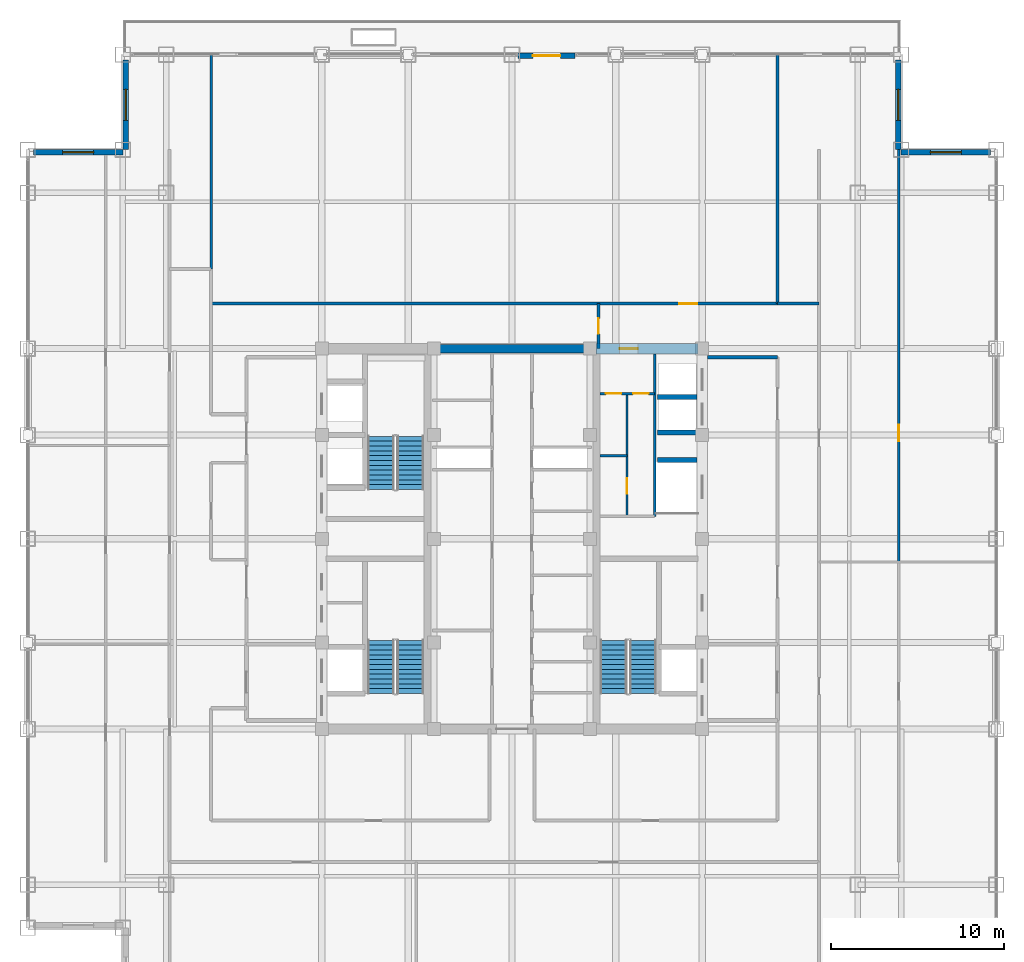
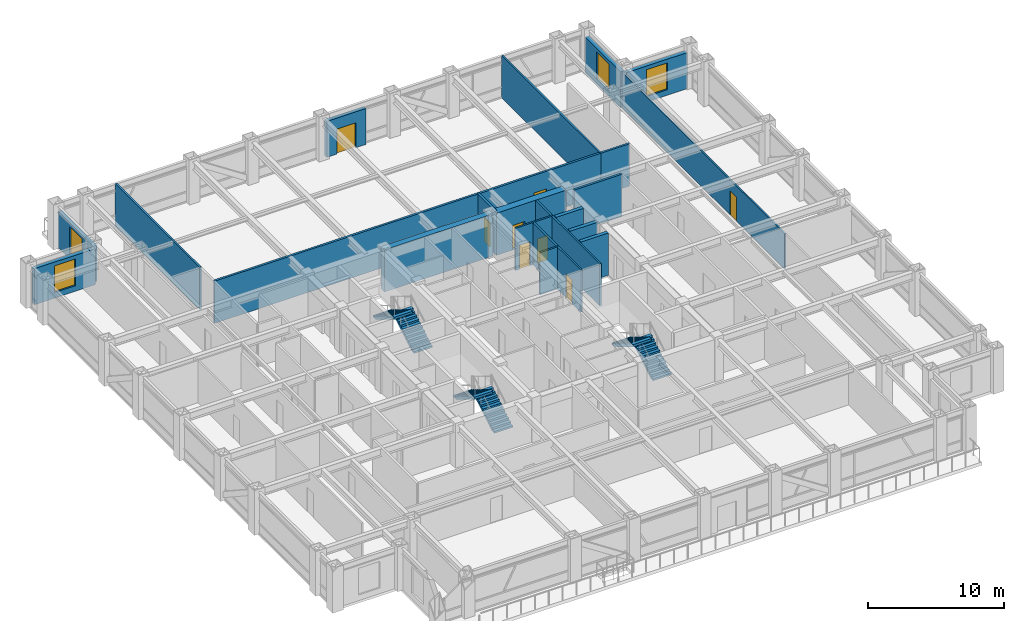
# One storey, part 29 of 32: 21 walls, 8 doors, 6 stair flights, 4 windows, 12 openings, 3 elements without a shape of their own.
"""IFC4 building model written with IfcOpenShell, lengths in metres."""

from ifc_helpers import new_model, si_unit, direction, frame, frame_2d, origin, place, context, subcontext, project, spatial, polyline, rectangle, outline, extrude, source, transform, mapped, material, layer, layer_set, type_object, element, fill, aggregate, save


model = new_model("IFC4")

# Units and contexts
model_context = context("Model", 3, precision=1e-05, world=origin(), true_north=direction((0.0, 1.0)))
body_context = subcontext(model_context, "Body", "Model", "MODEL_VIEW")
ifc_project = project(units=[si_unit("LENGTHUNIT", "METRE"), si_unit("AREAUNIT", "SQUARE_METRE"), si_unit("VOLUMEUNIT", "CUBIC_METRE"), si_unit("PLANEANGLEUNIT", "RADIAN"), si_unit("MASSUNIT", "GRAM", prefix="KILO")], contexts=[model_context])

# Site, building, storey
site_placement = place(None, origin())
site = spatial("IfcSite", under=ifc_project, at=site_placement, CompositionType="ELEMENT")
building_placement = place(site_placement, origin())
building = spatial("IfcBuilding", under=site, at=building_placement, Name="Khorayat Bourse Tower", CompositionType="ELEMENT")
storey_placement = place(building_placement, frame((0.0, 0.0, 273.5)))
storey = spatial("IfcBuildingStorey", under=building, at=storey_placement, Name="L64", CompositionType="ELEMENT", Elevation=273.5)

# Wall, opening, door
ifc_material_1 = material(Name="Concrete C60/75", Category="concrete")
ifc_layer_1 = layer(ifc_material_1, 0.60009765625)
ifc_layer_set_1 = layer_set([ifc_layer_1], Name="Concrete C60/75")
wall_type_1 = type_object("IfcWallType", Name="WAL-CORE-600", PredefinedType="SHEAR", material=ifc_layer_set_1)
shared_shape_1 = source(origin(), body_context, "Body", "SweptSolid", [
    extrude(rectangle(XDim=5.89990234375, YDim=0.60009765625, at=frame_2d((2.949951171875, 0.0))), origin(), (0.0, 0.0, 1.0), 3.780029296875),
])
wall_1_placement = place(storey_placement, frame((4.85009765625, 11.0, 0.0), z_axis=(0.0, 0.0, 1.0), x_axis=(1.0, 0.0, 0.0)))
wall_1 = element("IfcWall", 1, at=wall_1_placement, inside=storey, type_object=wall_type_1, Name="L64 Core Shear Wall PIER-EN", PredefinedType="SHEAR", context=body_context, shape_type="MappedRepresentation", body=[
    mapped(shared_shape_1, transform((0.0, 0.0, 0.0), scale=1.0)),
])
shared_shape_2 = source(origin(), body_context, "Body", "SweptSolid", [
    extrude(rectangle(XDim=1.050048828125, YDim=2.199951171875, at=frame_2d((0.52490234375, 1.10009765625))), frame((0.0, 0.31005859375, 0.0), z_axis=(0.0, -1.0, 0.0), x_axis=(1.0, 0.0, 0.0)), (0.0, 0.0, 1.0), 0.6201171875),
])
opening_1_placement = place(wall_1_placement, frame((1.375, 0.0, 0.0)))
opening_1 = element("IfcOpeningElement", 2, at=opening_1_placement, cuts=wall_1, Name="Opening DI-04", PredefinedType="OPENING", context=body_context, shape_type="MappedRepresentation", body=[
    mapped(shared_shape_2, transform((0.0, 0.0, 0.0), scale=1.0)),
])
ifc_material_2 = material(Name="Fire-rated oak veneer suite entrance door")
door_type_1 = type_object("IfcDoorType", Name="DR-INT-SUITE-1050", OperationType="NOTDEFINED", PredefinedType="DOOR", material=ifc_material_2)
shared_shape_3 = source(origin(), body_context, "Body", "SweptSolid", [
    extrude(rectangle(XDim=1.050048828125, YDim=2.199951171875, at=frame_2d((0.52490234375, 1.10009765625))), frame((0.0, 0.02490234375, 0.0), z_axis=(0.0, -1.0, 0.0), x_axis=(1.0, 0.0, 0.0)), (0.0, 0.0, 1.0), 0.050048828125),
])
door_1_placement = place(opening_1_placement, origin())
door_1 = element("IfcDoor", 3, at=door_1_placement, inside=storey, type_object=door_type_1, Name="L64 Core Washroom Lobby Door", OperationType="SINGLE_SWING_LEFT", OverallHeight=2.199951171875, OverallWidth=1.050048828125, PredefinedType="DOOR", context=body_context, shape_type="MappedRepresentation", body=[
    mapped(shared_shape_3, transform((0.0, 0.0, 0.0), scale=1.0)),
])
fill(opening_1, door_1)

# Wall
ifc_material_3 = material(Name="Concrete C52/65", Category="concrete")
ifc_layer_2 = layer(ifc_material_3, 0.5)
ifc_layer_set_2 = layer_set([ifc_layer_2], Name="Concrete C52/65")
wall_type_2 = type_object("IfcWallType", Name="WAL-CORE-500", PredefinedType="SHEAR", material=ifc_layer_set_2)
shared_shape_4 = source(origin(), body_context, "Body", "SweptSolid", [
    extrude(rectangle(XDim=9.2001953125, YDim=0.5, at=frame_2d((4.60009765625, 0.0))), origin(), (0.0, 0.0, 1.0), 3.780029296875),
])
wall_2_placement = place(storey_placement, frame((-4.60009765625, 11.0, 0.0), z_axis=(0.0, 0.0, 1.0), x_axis=(1.0, 0.0, 0.0)))
element("IfcWall", 4, at=wall_2_placement, inside=storey, type_object=wall_type_2, Name="L64 Core Shear Wall CORE-N", PredefinedType="SHEAR", context=body_context, shape_type="MappedRepresentation", body=[
    mapped(shared_shape_4, transform((0.0, 0.0, 0.0), scale=1.0)),
])

# Wall, opening, window
ifc_material_4 = material(Name="Precast concrete C45/55", Category="concrete")
ifc_layer_3 = layer(ifc_material_4, 0.320068359375)
ifc_layer_set_3 = layer_set([ifc_layer_3], Name="Precast concrete C45/55")
wall_type_3 = type_object("IfcWallType", Name="WAL-EXT-STONE-320", PredefinedType="STANDARD", material=ifc_layer_set_3)
shared_shape_5 = source(origin(), body_context, "Body", "SweptSolid", [
    extrude(rectangle(XDim=5.179931640625, YDim=0.320068359375, at=frame_2d((2.58984375, 0.0))), origin(), (0.0, 0.0, 1.0), 3.23095703125),
])
wall_3_placement = place(storey_placement, frame((22.5, 22.340087890625, 0.0), z_axis=(0.0, 0.0, 1.0), x_axis=(1.0, 0.0, 0.0)))
wall_3 = element("IfcWall", 5, at=wall_3_placement, inside=storey, type_object=wall_type_3, Name="L64 Re-Entrant Notch Limestone Wall NE-H", PredefinedType="STANDARD", context=body_context, shape_type="MappedRepresentation", body=[
    mapped(shared_shape_5, transform((0.0, 0.0, 0.0), scale=1.0)),
])
shared_shape_6 = source(origin(), body_context, "Body", "SweptSolid", [
    extrude(rectangle(XDim=1.800048828125, YDim=2.39990234375, at=frame_2d((0.89990234375, 1.199951171875))), frame((0.0, 0.169921875, 0.0), z_axis=(0.0, -1.0, 0.0), x_axis=(1.0, 0.0, 0.0)), (0.0, 0.0, 1.0), 0.340087890625),
])
opening_2_placement = place(wall_3_placement, frame((1.68994140625, 0.0, 0.5)))
opening_2 = element("IfcOpeningElement", 6, at=opening_2_placement, cuts=wall_3, Name="Opening WN-04", PredefinedType="OPENING", context=body_context, shape_type="MappedRepresentation", body=[
    mapped(shared_shape_6, transform((0.0, 0.0, 0.0), scale=1.0)),
])
ifc_material_5 = material(Name="Low-E acoustic laminated double glazing", Category="glass")
window_type = type_object("IfcWindowType", Name="WIN-NOTCH-1800x2400", PartitioningType="SINGLE_PANEL", PredefinedType="WINDOW", material=ifc_material_5)
shared_shape_7 = source(origin(), body_context, "Body", "SweptSolid", [
    extrude(rectangle(XDim=1.800048828125, YDim=2.39990234375, at=frame_2d((0.89990234375, 1.199951171875))), frame((0.0, 0.030029296875, 0.0), z_axis=(0.0, -1.0, 0.0), x_axis=(1.0, 0.0, 0.0)), (0.0, 0.0, 1.0), 0.06005859375),
])
window_1_placement = place(opening_2_placement, origin())
window_1 = element("IfcWindow", 7, at=window_1_placement, inside=storey, type_object=window_type, Name="L64 Facade Window 1", OverallHeight=2.39990234375, OverallWidth=1.800048828125, PartitioningType="SINGLE_PANEL", PredefinedType="WINDOW", context=body_context, shape_type="MappedRepresentation", body=[
    mapped(shared_shape_7, transform((0.0, 0.0, 0.0), scale=1.0)),
])
fill(opening_2, window_1)

wall_4_placement = place(storey_placement, frame((22.340087890625, 22.5, 0.0), z_axis=(0.0, 0.0, 1.0), x_axis=(0.0, 1.0, 0.0)))
wall_4 = element("IfcWall", 8, at=wall_4_placement, inside=storey, type_object=wall_type_3, Name="L64 Re-Entrant Notch Limestone Wall NE-V", PredefinedType="STANDARD", context=body_context, shape_type="MappedRepresentation", body=[
    mapped(shared_shape_5, transform((0.0, 0.0, 0.0), scale=1.0)),
])
opening_3_placement = place(wall_4_placement, frame((1.68994140625, 0.0, 0.5)))
opening_3 = element("IfcOpeningElement", 9, at=opening_3_placement, cuts=wall_4, Name="Opening WN-04", PredefinedType="OPENING", context=body_context, shape_type="MappedRepresentation", body=[
    mapped(shared_shape_6, transform((0.0, 0.0, 0.0), scale=1.0)),
])
window_2_placement = place(opening_3_placement, origin())
window_2 = element("IfcWindow", 10, at=window_2_placement, inside=storey, type_object=window_type, Name="L64 Facade Window 1", OverallHeight=2.39990234375, OverallWidth=1.800048828125, PartitioningType="SINGLE_PANEL", PredefinedType="WINDOW", context=body_context, shape_type="MappedRepresentation", body=[
    mapped(shared_shape_7, transform((0.0, 0.0, 0.0), scale=1.0)),
])
fill(opening_3, window_2)

wall_5_placement = place(storey_placement, frame((-22.340087890625, 22.5, 0.0), z_axis=(0.0, 0.0, 1.0), x_axis=(0.0, 1.0, 0.0)))
wall_5 = element("IfcWall", 11, at=wall_5_placement, inside=storey, type_object=wall_type_3, Name="L64 Re-Entrant Notch Limestone Wall NW-V", PredefinedType="STANDARD", context=body_context, shape_type="MappedRepresentation", body=[
    mapped(shared_shape_5, transform((0.0, 0.0, 0.0), scale=1.0)),
])
opening_4_placement = place(wall_5_placement, frame((1.68994140625, 0.0, 0.5)))
opening_4 = element("IfcOpeningElement", 12, at=opening_4_placement, cuts=wall_5, Name="Opening WN-04", PredefinedType="OPENING", context=body_context, shape_type="MappedRepresentation", body=[
    mapped(shared_shape_6, transform((0.0, 0.0, 0.0), scale=1.0)),
])
window_3_placement = place(opening_4_placement, origin())
window_3 = element("IfcWindow", 13, at=window_3_placement, inside=storey, type_object=window_type, Name="L64 Facade Window 1", OverallHeight=2.39990234375, OverallWidth=1.800048828125, PartitioningType="SINGLE_PANEL", PredefinedType="WINDOW", context=body_context, shape_type="MappedRepresentation", body=[
    mapped(shared_shape_7, transform((0.0, 0.0, 0.0), scale=1.0)),
])
fill(opening_4, window_3)

wall_6_placement = place(storey_placement, frame((-22.5, 22.340087890625, 0.0), z_axis=(0.0, 0.0, 1.0), x_axis=(-1.0, 0.0, 0.0)))
wall_6 = element("IfcWall", 14, at=wall_6_placement, inside=storey, type_object=wall_type_3, Name="L64 Re-Entrant Notch Limestone Wall NW-H", PredefinedType="STANDARD", context=body_context, shape_type="MappedRepresentation", body=[
    mapped(shared_shape_5, transform((0.0, 0.0, 0.0), scale=1.0)),
])
opening_5_placement = place(wall_6_placement, frame((1.68994140625, 0.0, 0.5)))
opening_5 = element("IfcOpeningElement", 15, at=opening_5_placement, cuts=wall_6, Name="Opening WN-04", PredefinedType="OPENING", context=body_context, shape_type="MappedRepresentation", body=[
    mapped(shared_shape_6, transform((0.0, 0.0, 0.0), scale=1.0)),
])
window_4_placement = place(opening_5_placement, origin())
window_4 = element("IfcWindow", 16, at=window_4_placement, inside=storey, type_object=window_type, Name="L64 Facade Window 1", OverallHeight=2.39990234375, OverallWidth=1.800048828125, PartitioningType="SINGLE_PANEL", PredefinedType="WINDOW", context=body_context, shape_type="MappedRepresentation", body=[
    mapped(shared_shape_7, transform((0.0, 0.0, 0.0), scale=1.0)),
])
fill(opening_5, window_4)

# Wall, opening, door
shared_shape_8 = source(origin(), body_context, "Body", "SweptSolid", [
    extrude(rectangle(XDim=3.2998046875, YDim=0.320068359375, at=frame_2d((1.64990234375, 0.0))), origin(), (0.0, 0.0, 1.0), 3.23095703125),
])
wall_7_placement = place(storey_placement, frame((0.35009765625, 27.9423828125, 0.0), z_axis=(0.0, 0.0, 1.0), x_axis=(1.0, 0.0, 0.0)))
wall_7 = element("IfcWall", 17, at=wall_7_placement, inside=storey, type_object=wall_type_3, Name="L64 Exterior Limestone Wall WAL-L64-TDPORT-N1", PredefinedType="STANDARD", context=body_context, shape_type="MappedRepresentation", body=[
    mapped(shared_shape_8, transform((0.0, 0.0, 0.0), scale=1.0)),
])
shared_shape_9 = source(origin(), body_context, "Body", "SweptSolid", [
    extrude(rectangle(XDim=1.60009765625, YDim=2.25, at=frame_2d((0.800048828125, 1.125))), frame((0.0, 0.169921875, 0.0), z_axis=(0.0, -1.0, 0.0), x_axis=(1.0, 0.0, 0.0)), (0.0, 0.0, 1.0), 0.340087890625),
])
opening_6_placement = place(wall_7_placement, frame((0.85009765625, 0.0, 0.0)))
opening_6 = element("IfcOpeningElement", 18, at=opening_6_placement, cuts=wall_7, Name="Opening DE-04", PredefinedType="OPENING", context=body_context, shape_type="MappedRepresentation", body=[
    mapped(shared_shape_9, transform((0.0, 0.0, 0.0), scale=1.0)),
])
ifc_material_6 = material(Name="Thermally broken aluminium terrace double door", Category="aluminium")
door_type_2 = type_object("IfcDoorType", Name="DR-EXT-TERR-1600", OperationType="NOTDEFINED", PredefinedType="DOOR", material=ifc_material_6)
shared_shape_10 = source(origin(), body_context, "Body", "SweptSolid", [
    extrude(rectangle(XDim=1.60009765625, YDim=2.25, at=frame_2d((0.800048828125, 1.125))), frame((0.0, 0.02490234375, 0.0), z_axis=(0.0, -1.0, 0.0), x_axis=(1.0, 0.0, 0.0)), (0.0, 0.0, 1.0), 0.050048828125),
])
door_2_placement = place(opening_6_placement, origin())
door_2 = element("IfcDoor", 19, at=door_2_placement, inside=storey, type_object=door_type_2, Name="L64 North Setback Terrace Door", OperationType="DOUBLE_DOOR_SINGLE_SWING", OverallHeight=2.25, OverallWidth=1.60009765625, PredefinedType="DOOR", context=body_context, shape_type="MappedRepresentation", body=[
    mapped(shared_shape_10, transform((0.0, 0.0, 0.0), scale=1.0)),
])
fill(opening_6, door_2)

# Walls
ifc_material_7 = material(Name="Concrete C50/60", Category="concrete")
ifc_layer_4 = layer(ifc_material_7, 0.300048828125)
ifc_layer_set_4 = layer_set([ifc_layer_4], Name="Concrete C50/60")
wall_type_4 = type_object("IfcWallType", Name="WAL-SHAFT-300", PredefinedType="SHEAR", material=ifc_layer_set_4)
shared_shape_11 = source(origin(), body_context, "Body", "SweptSolid", [
    extrude(rectangle(XDim=2.300048828125, YDim=0.300048828125, at=frame_2d((1.14990234375, 0.0))), origin(), (0.0, 0.0, 1.0), 3.780029296875),
])
for number, where, z_axis, x_axis, name in (
    (20, (8.39990234375, 4.550048828125, 0.0), (0.0, 0.0, 1.0), (1.0, 0.0, 0.0), "L64 Partition WAL-L64-EPIER-SVLN"),
    (21, (8.39990234375, 6.14990234375, 0.0), (0.0, 0.0, 1.0), (1.0, 0.0, 0.0), "L64 Partition WAL-L64-EPIER-H3S"),
    (22, (8.39990234375, 8.199951171875, 0.0), (0.0, 0.0, 1.0), (1.0, 0.0, 0.0), "L64 Partition WAL-L64-EPIER-H34"),
):
    element("IfcWall", number, at=place(storey_placement, frame(where, z_axis=z_axis, x_axis=x_axis)), inside=storey, type_object=wall_type_4, Name=name, PredefinedType="SHEAR", context=body_context, shape_type="MappedRepresentation", body=[
        mapped(shared_shape_11, transform((0.0, 0.0, 0.0), scale=1.0)),
    ])
ifc_material_8 = material(Name="Moisture-resistant masonry partition", Category="masonry")
ifc_layer_5 = layer(ifc_material_8, 0.139892578125)
ifc_layer_set_5 = layer_set([ifc_layer_5], Name="Moisture-resistant masonry partition")
wall_type_5 = type_object("IfcWallType", Name="WAL-PART-WET-140", PredefinedType="PARTITIONING", material=ifc_layer_set_5)
shared_shape_12 = source(origin(), body_context, "Body", "SweptSolid", [
    extrude(rectangle(XDim=9.39990234375, YDim=0.139892578125, at=frame_2d((4.699951171875, 0.0))), origin(), (0.0, 0.0, 1.0), 3.780029296875),
])
wall_8_placement = place(storey_placement, frame((8.25, 1.300048828125, 0.0), z_axis=(0.0, 0.0, 1.0), x_axis=(0.0, 1.0, 0.0)))
element("IfcWall", 23, at=wall_8_placement, inside=storey, type_object=wall_type_5, Name="L64 Partition WAL-L64-ECORE-E", PredefinedType="PARTITIONING", context=body_context, shape_type="MappedRepresentation", body=[
    mapped(shared_shape_12, transform((0.0, 0.0, 0.0), scale=1.0)),
])

# Wall, openings, doors
shared_shape_13 = source(origin(), body_context, "Body", "SweptSolid", [
    extrude(rectangle(XDim=3.14990234375, YDim=0.139892578125, at=frame_2d((1.574951171875, 0.0))), origin(), (0.0, 0.0, 1.0), 3.780029296875),
])
wall_9_placement = place(storey_placement, frame((5.10009765625, 8.39990234375, 0.0), z_axis=(0.0, 0.0, 1.0), x_axis=(1.0, 0.0, 0.0)))
wall_9 = element("IfcWall", 24, at=wall_9_placement, inside=storey, type_object=wall_type_5, Name="L64 Partition WAL-L64-ECW-TOP", PredefinedType="PARTITIONING", context=body_context, shape_type="MappedRepresentation", body=[
    mapped(shared_shape_13, transform((0.0, 0.0, 0.0), scale=1.0)),
])
shared_shape_14 = source(origin(), body_context, "Body", "SweptSolid", [
    extrude(rectangle(XDim=0.89990234375, YDim=2.14990234375, at=frame_2d((0.449951171875, 1.074951171875))), frame((0.0, 0.079833984375, 0.0), z_axis=(0.0, -1.0, 0.0), x_axis=(1.0, 0.0, 0.0)), (0.0, 0.0, 1.0), 0.159912109375),
])
opening_7_placement = place(wall_9_placement, frame((0.330078125, 0.0, 0.0)))
opening_7 = element("IfcOpeningElement", 25, at=opening_7_placement, cuts=wall_9, Name="Opening DI-06", PredefinedType="OPENING", context=body_context, shape_type="MappedRepresentation", body=[
    mapped(shared_shape_14, transform((0.0, 0.0, 0.0), scale=1.0)),
])
opening_8_placement = place(wall_9_placement, frame((1.89990234375, 0.0, 0.0)))
opening_8 = element("IfcOpeningElement", 26, at=opening_8_placement, cuts=wall_9, Name="Opening DI-06", PredefinedType="OPENING", context=body_context, shape_type="MappedRepresentation", body=[
    mapped(shared_shape_14, transform((0.0, 0.0, 0.0), scale=1.0)),
])
ifc_material_9 = material(Name="Moisture-resistant laminate washroom door")
door_type_3 = type_object("IfcDoorType", Name="DR-INT-WC-900", OperationType="NOTDEFINED", PredefinedType="DOOR", material=ifc_material_9)
shared_shape_15 = source(origin(), body_context, "Body", "SweptSolid", [
    extrude(rectangle(XDim=0.89990234375, YDim=2.14990234375, at=frame_2d((0.449951171875, 1.074951171875))), frame((0.0, 0.02490234375, 0.0), z_axis=(0.0, -1.0, 0.0), x_axis=(1.0, 0.0, 0.0)), (0.0, 0.0, 1.0), 0.050048828125),
])
door_3_placement = place(opening_7_placement, origin())
door_3 = element("IfcDoor", 27, at=door_3_placement, inside=storey, type_object=door_type_3, Name="L64 Accessible WC Door", OperationType="SINGLE_SWING_LEFT", OverallHeight=2.14990234375, OverallWidth=0.89990234375, PredefinedType="DOOR", context=body_context, shape_type="MappedRepresentation", body=[
    mapped(shared_shape_15, transform((0.0, 0.0, 0.0), scale=1.0)),
])
fill(opening_7, door_3)
door_4_placement = place(opening_8_placement, origin())
door_4 = element("IfcDoor", 28, at=door_4_placement, inside=storey, type_object=door_type_3, Name="L64 Shared Washroom Door", OperationType="SINGLE_SWING_RIGHT", OverallHeight=2.14990234375, OverallWidth=0.89990234375, PredefinedType="DOOR", context=body_context, shape_type="MappedRepresentation", body=[
    mapped(shared_shape_15, transform((0.0, 0.0, 0.0), scale=1.0)),
])
fill(opening_8, door_4)

# Wall, opening, door
shared_shape_16 = source(origin(), body_context, "Body", "SweptSolid", [
    extrude(rectangle(XDim=7.099853515625, YDim=0.139892578125, at=frame_2d((3.5498046875, 0.0))), origin(), (0.0, 0.0, 1.0), 3.780029296875),
])
wall_10_placement = place(storey_placement, frame((6.64990234375, 1.300048828125, 0.0), z_axis=(0.0, 0.0, 1.0), x_axis=(0.0, 1.0, 0.0)))
wall_10 = element("IfcWall", 29, at=wall_10_placement, inside=storey, type_object=wall_type_5, Name="L64 Partition WAL-L64-ECW-MID", PredefinedType="PARTITIONING", context=body_context, shape_type="MappedRepresentation", body=[
    mapped(shared_shape_16, transform((0.0, 0.0, 0.0), scale=1.0)),
])
opening_9_placement = place(wall_10_placement, frame((1.300048828125, 0.0, 0.0)))
opening_9 = element("IfcOpeningElement", 30, at=opening_9_placement, cuts=wall_10, Name="Opening DI-06", PredefinedType="OPENING", context=body_context, shape_type="MappedRepresentation", body=[
    mapped(shared_shape_14, transform((0.0, 0.0, 0.0), scale=1.0)),
])
door_5_placement = place(opening_9_placement, origin())
door_5 = element("IfcDoor", 31, at=door_5_placement, inside=storey, type_object=door_type_3, Name="L64 Janitor Store Door", OperationType="SINGLE_SWING_LEFT", OverallHeight=2.14990234375, OverallWidth=0.89990234375, PredefinedType="DOOR", context=body_context, shape_type="MappedRepresentation", body=[
    mapped(shared_shape_15, transform((0.0, 0.0, 0.0), scale=1.0)),
])
fill(opening_9, door_5)

# Walls
shared_shape_17 = source(origin(), body_context, "Body", "SweptSolid", [
    extrude(rectangle(XDim=1.5498046875, YDim=0.139892578125, at=frame_2d((0.77490234375, 0.0))), origin(), (0.0, 0.0, 1.0), 3.780029296875),
])
wall_11_placement = place(storey_placement, frame((5.10009765625, 4.800048828125, 0.0), z_axis=(0.0, 0.0, 1.0), x_axis=(1.0, 0.0, 0.0)))
element("IfcWall", 32, at=wall_11_placement, inside=storey, type_object=wall_type_5, Name="L64 Partition WAL-L64-ECW-BOT", PredefinedType="PARTITIONING", context=body_context, shape_type="MappedRepresentation", body=[
    mapped(shared_shape_17, transform((0.0, 0.0, 0.0), scale=1.0)),
])
ifc_material_10 = material(Name="Gypsum plasterboard acoustic stud wall")
ifc_layer_6 = layer(ifc_material_10, 0.179931640625)
ifc_layer_set_6 = layer_set([ifc_layer_6], Name="Gypsum plasterboard acoustic stud wall")
wall_type_6 = type_object("IfcWallType", Name="WAL-PART-CORR-180", PredefinedType="PARTITIONING", material=ifc_layer_set_6)
shared_shape_18 = source(origin(), body_context, "Body", "SweptSolid", [
    extrude(rectangle(XDim=4.050048828125, YDim=0.179931640625, at=frame_2d((2.02490234375, 0.0))), origin(), (0.0, 0.0, 1.0), 3.780029296875),
])
wall_12_placement = place(storey_placement, frame((11.300048828125, 10.5, 0.0), z_axis=(0.0, 0.0, 1.0), x_axis=(1.0, 0.0, 0.0)))
element("IfcWall", 33, at=wall_12_placement, inside=storey, type_object=wall_type_6, Name="L64 Partition WAL-L64-ELOB-N", PredefinedType="PARTITIONING", context=body_context, shape_type="MappedRepresentation", body=[
    mapped(shared_shape_18, transform((0.0, 0.0, 0.0), scale=1.0)),
])

# Wall, opening, door
shared_shape_19 = source(origin(), body_context, "Body", "SweptSolid", [
    extrude(rectangle(XDim=2.60009765625, YDim=0.179931640625, at=frame_2d((1.300048828125, 0.0))), origin(), (0.0, 0.0, 1.0), 3.780029296875),
])
wall_13_placement = place(storey_placement, frame((5.0, 11.0, 0.0), z_axis=(0.0, 0.0, 1.0), x_axis=(0.0, 1.0, 0.0)))
wall_13 = element("IfcWall", 34, at=wall_13_placement, inside=storey, type_object=wall_type_6, Name="L64 Partition WAL-L64-CORRNE-W", PredefinedType="PARTITIONING", context=body_context, shape_type="MappedRepresentation", body=[
    mapped(shared_shape_19, transform((0.0, 0.0, 0.0), scale=1.0)),
])
shared_shape_20 = source(origin(), body_context, "Body", "SweptSolid", [
    extrude(rectangle(XDim=0.89990234375, YDim=2.14990234375, at=frame_2d((0.449951171875, 1.074951171875))), frame((0.0, 0.099853515625, 0.0), z_axis=(0.0, -1.0, 0.0), x_axis=(1.0, 0.0, 0.0)), (0.0, 0.0, 1.0), 0.199951171875),
])
opening_10_placement = place(wall_13_placement, frame((0.85009765625, 0.0, 0.0)))
opening_10 = element("IfcOpeningElement", 35, at=opening_10_placement, cuts=wall_13, Name="Opening DI-06", PredefinedType="OPENING", context=body_context, shape_type="MappedRepresentation", body=[
    mapped(shared_shape_20, transform((0.0, 0.0, 0.0), scale=1.0)),
])
door_6_placement = place(opening_10_placement, origin())
door_6 = element("IfcDoor", 36, at=door_6_placement, inside=storey, type_object=door_type_3, Name="L64 North Core Pantry Door", OperationType="SINGLE_SWING_LEFT", OverallHeight=2.14990234375, OverallWidth=0.89990234375, PredefinedType="DOOR", context=body_context, shape_type="MappedRepresentation", body=[
    mapped(shared_shape_15, transform((0.0, 0.0, 0.0), scale=1.0)),
])
fill(opening_10, door_6)

# Wall
shared_shape_21 = source(origin(), body_context, "Body", "SweptSolid", [
    extrude(rectangle(XDim=2.39990234375, YDim=0.179931640625, at=frame_2d((1.199951171875, 0.0))), origin(), (0.0, 0.0, 1.0), 3.780029296875),
])
wall_14_placement = place(storey_placement, frame((15.35009765625, 13.60009765625, 0.0), z_axis=(0.0, 0.0, 1.0), x_axis=(1.0, 0.0, 0.0)))
element("IfcWall", 37, at=wall_14_placement, inside=storey, type_object=wall_type_6, Name="L64 Partition WAL-L64-GALE-N", PredefinedType="PARTITIONING", context=body_context, shape_type="MappedRepresentation", body=[
    mapped(shared_shape_21, transform((0.0, 0.0, 0.0), scale=1.0)),
])

# Wall, opening, door
shared_shape_22 = source(origin(), body_context, "Body", "SweptSolid", [
    extrude(rectangle(XDim=32.75, YDim=0.179931640625, at=frame_2d((16.375, 0.0))), origin(), (0.0, 0.0, 1.0), 3.780029296875),
])
wall_15_placement = place(storey_placement, frame((-17.39990234375, 13.60009765625, 0.0), z_axis=(0.0, 0.0, 1.0), x_axis=(1.0, 0.0, 0.0)))
wall_15 = element("IfcWall", 38, at=wall_15_placement, inside=storey, type_object=wall_type_6, Name="L64 Partition WAL-L64-NCORR", PredefinedType="PARTITIONING", context=body_context, shape_type="MappedRepresentation", body=[
    mapped(shared_shape_22, transform((0.0, 0.0, 0.0), scale=1.0)),
])
shared_shape_23 = source(origin(), body_context, "Body", "SweptSolid", [
    extrude(rectangle(XDim=1.050048828125, YDim=2.199951171875, at=frame_2d((0.52490234375, 1.10009765625))), frame((0.0, 0.099853515625, 0.0), z_axis=(0.0, -1.0, 0.0), x_axis=(1.0, 0.0, 0.0)), (0.0, 0.0, 1.0), 0.199951171875),
])
opening_11_placement = place(wall_15_placement, frame((27.074951171875, 0.0, 0.0)))
opening_11 = element("IfcOpeningElement", 39, at=opening_11_placement, cuts=wall_15, Name="Opening DI-04", PredefinedType="OPENING", context=body_context, shape_type="MappedRepresentation", body=[
    mapped(shared_shape_23, transform((0.0, 0.0, 0.0), scale=1.0)),
])
door_7_placement = place(opening_11_placement, origin())
door_7 = element("IfcDoor", 40, at=door_7_placement, inside=storey, type_object=door_type_1, Name="L64 North Sky Terrace Lounge N1 Door", OperationType="SINGLE_SWING_RIGHT", OverallHeight=2.199951171875, OverallWidth=1.050048828125, PredefinedType="DOOR", context=body_context, shape_type="MappedRepresentation", body=[
    mapped(shared_shape_3, transform((0.0, 0.0, 0.0), scale=1.0)),
])
fill(opening_11, door_7)

# Walls
ifc_material_11 = material(Name="Gypsum plasterboard twin-frame partition")
ifc_layer_7 = layer(ifc_material_11, 0.14990234375)
ifc_layer_set_7 = layer_set([ifc_layer_7], Name="Gypsum plasterboard twin-frame partition")
wall_type_7 = type_object("IfcWallType", Name="WAL-PART-SUITE-150", PredefinedType="PARTITIONING", material=ifc_layer_set_7)
shared_shape_24 = source(origin(), body_context, "Body", "SweptSolid", [
    extrude(rectangle(XDim=12.39990234375, YDim=0.14990234375, at=frame_2d((6.199951171875, 0.0))), origin(), (0.0, 0.0, 1.0), 3.780029296875),
])
wall_16_placement = place(storey_placement, frame((-17.39990234375, 15.60009765625, 0.0), z_axis=(0.0, 0.0, 1.0), x_axis=(0.0, 1.0, 0.0)))
element("IfcWall", 41, at=wall_16_placement, inside=storey, type_object=wall_type_7, Name="L64 Partition WAL-L64-NCW-END", PredefinedType="PARTITIONING", context=body_context, shape_type="MappedRepresentation", body=[
    mapped(shared_shape_24, transform((0.0, 0.0, 0.0), scale=1.0)),
])
shared_shape_25 = source(origin(), body_context, "Body", "SweptSolid", [
    extrude(rectangle(XDim=14.39990234375, YDim=0.14990234375, at=frame_2d((7.199951171875, 0.0))), origin(), (0.0, 0.0, 1.0), 3.780029296875),
])
wall_17_placement = place(storey_placement, frame((15.35009765625, 13.60009765625, 0.0), z_axis=(0.0, 0.0, 1.0), x_axis=(0.0, 1.0, 0.0)))
element("IfcWall", 42, at=wall_17_placement, inside=storey, type_object=wall_type_7, Name="L64 Partition WAL-L64-NCE-END", PredefinedType="PARTITIONING", context=body_context, shape_type="MappedRepresentation", body=[
    mapped(shared_shape_25, transform((0.0, 0.0, 0.0), scale=1.0)),
])

# Wall, opening, door
ifc_material_12 = material(Name="Gypsum plasterboard partition")
ifc_layer_8 = layer(ifc_material_12, 0.125)
ifc_layer_set_8 = layer_set([ifc_layer_8], Name="Gypsum plasterboard partition")
wall_type_8 = type_object("IfcWallType", Name="WAL-PART-ROOM-125", PredefinedType="PARTITIONING", material=ifc_layer_set_8)
shared_shape_26 = source(origin(), body_context, "Body", "SweptSolid", [
    extrude(rectangle(XDim=23.85009765625, YDim=0.125, at=frame_2d((11.925048828125, 0.0))), origin(), (0.0, 0.0, 1.0), 3.1640625),
])
wall_18_placement = place(storey_placement, frame((22.362548828125, -1.35009765625, 0.0), z_axis=(0.0, 0.0, 1.0), x_axis=(0.0, 1.0, 0.0)))
wall_18 = element("IfcWall", 43, at=wall_18_placement, inside=storey, type_object=wall_type_8, Name="L64 Partition WAL-L64-EDP-2", PredefinedType="PARTITIONING", context=body_context, shape_type="MappedRepresentation", body=[
    mapped(shared_shape_26, transform((0.0, 0.0, 0.0), scale=1.0)),
])
shared_shape_27 = source(origin(), body_context, "Body", "SweptSolid", [
    extrude(rectangle(XDim=0.949951171875, YDim=2.14990234375, at=frame_2d((0.47509765625, 1.074951171875))), frame((0.0, 0.072509765625, 0.0), z_axis=(0.0, -1.0, 0.0), x_axis=(1.0, 0.0, 0.0)), (0.0, 0.0, 1.0), 0.14501953125),
])
opening_12_placement = place(wall_18_placement, frame((7.0, 0.0, 0.0)))
opening_12 = element("IfcOpeningElement", 44, at=opening_12_placement, cuts=wall_18, Name="Opening DI-05", PredefinedType="OPENING", context=body_context, shape_type="MappedRepresentation", body=[
    mapped(shared_shape_27, transform((0.0, 0.0, 0.0), scale=1.0)),
])
ifc_material_13 = material(Name="Acoustic oak veneer office door")
door_type_4 = type_object("IfcDoorType", Name="DR-INT-OFFICE-950", OperationType="NOTDEFINED", PredefinedType="DOOR", material=ifc_material_13)
shared_shape_28 = source(origin(), body_context, "Body", "SweptSolid", [
    extrude(rectangle(XDim=0.949951171875, YDim=2.14990234375, at=frame_2d((0.47509765625, 1.074951171875))), frame((0.0, 0.02490234375, 0.0), z_axis=(0.0, -1.0, 0.0), x_axis=(1.0, 0.0, 0.0)), (0.0, 0.0, 1.0), 0.050048828125),
])
door_8_placement = place(opening_12_placement, origin())
door_8 = element("IfcDoor", 45, at=door_8_placement, inside=storey, type_object=door_type_4, Name="L64 Executive Boardroom E2B Door", OperationType="SINGLE_SWING_LEFT", OverallHeight=2.14990234375, OverallWidth=0.949951171875, PredefinedType="DOOR", context=body_context, shape_type="MappedRepresentation", body=[
    mapped(shared_shape_28, transform((0.0, 0.0, 0.0), scale=1.0)),
])
fill(opening_12, door_8)

# Stair, stair flights
ifc_material_14 = material(Name="Concrete C40/50", Category="concrete")
stair_type = type_object("IfcStairType", Name="STR-CORE-1550", PredefinedType="HALF_TURN_STAIR", material=ifc_material_14)
stair_1_placement = place(storey_placement, origin())
stair_1 = element("IfcStair", 46, at=stair_1_placement, inside=storey, type_object=stair_type, Name="L64 Exit Stair ST-1", PredefinedType="HALF_TURN_STAIR")
stair_flight_type = type_object("IfcStairFlightType", Name="FLT-CORE-1550", PredefinedType="STRAIGHT", material=ifc_material_14)
shared_shape_29 = source(origin(), body_context, "Body", "SweptSolid", [
    extrude(outline(polyline([(0.0, 0.0), (0.0, 0.166748046875), (0.280029296875, 0.166748046875), (0.280029296875, 0.333251953125), (0.56005859375, 0.333251953125), (0.56005859375, 0.5), (0.840087890625, 0.5), (0.840087890625, 0.666748046875), (1.1201171875, 0.666748046875), (1.1201171875, 0.833251953125), (1.39990234375, 0.833251953125), (1.39990234375, 1.0), (1.679931640625, 1.0), (1.679931640625, 1.166748046875), (1.9599609375, 1.166748046875), (1.9599609375, 1.333251953125), (2.239990234375, 1.333251953125), (2.239990234375, 1.5), (2.52001953125, 1.5), (2.52001953125, 1.666748046875), (2.800048828125, 1.666748046875), (2.800048828125, 1.833251953125), (3.080078125, 1.833251953125), (3.080078125, 2.0), (3.080078125, 1.6240234375), (0.351806640625, 0.0), (0.0, 0.0)])), frame((0.0, 0.77490234375, 0.0), z_axis=(0.0, -1.0, 0.0), x_axis=(1.0, 0.0, 0.0)), (0.0, 0.0, 1.0), 1.550048828125),
])
stair_flight_1_placement = place(storey_placement, frame((-5.875, -8.949951171875, 0.0), z_axis=(0.0, 0.0, 1.0), x_axis=(0.0, 1.0, 0.0)))
stair_flight_1 = element("IfcStairFlight", 47, at=stair_flight_1_placement, type_object=stair_flight_type, Name="ST-1 flight 1", NumberOfRisers=12, NumberOfTreads=11, PredefinedType="STRAIGHT", RiserHeight=0.166666667, TreadLength=0.28, context=body_context, shape_type="MappedRepresentation", body=[
    mapped(shared_shape_29, transform((0.0, 0.0, 0.0), scale=1.0)),
])
stair_flight_2_placement = place(storey_placement, frame((-7.574951171875, -5.8701171875, 2.0), z_axis=(0.0, 0.0, 1.0), x_axis=(0.0, -1.0, 0.0)))
stair_flight_2 = element("IfcStairFlight", 48, at=stair_flight_2_placement, type_object=stair_flight_type, Name="ST-1 flight 2", NumberOfRisers=12, NumberOfTreads=11, PredefinedType="STRAIGHT", RiserHeight=0.166666667, TreadLength=0.28, context=body_context, shape_type="MappedRepresentation", body=[
    mapped(shared_shape_29, transform((0.0, 0.0, 0.0), scale=1.0)),
])
aggregate(stair_1, [stair_flight_1, stair_flight_2])

stair_2_placement = place(storey_placement, origin())
stair_2 = element("IfcStair", 49, at=stair_2_placement, inside=storey, type_object=stair_type, Name="L64 Exit Stair ST-2", PredefinedType="HALF_TURN_STAIR")
stair_flight_3_placement = place(storey_placement, frame((-5.875, 2.85009765625, 0.0), z_axis=(0.0, 0.0, 1.0), x_axis=(0.0, 1.0, 0.0)))
stair_flight_3 = element("IfcStairFlight", 50, at=stair_flight_3_placement, type_object=stair_flight_type, Name="ST-2 flight 1", NumberOfRisers=12, NumberOfTreads=11, PredefinedType="STRAIGHT", RiserHeight=0.166666667, TreadLength=0.28, context=body_context, shape_type="MappedRepresentation", body=[
    mapped(shared_shape_29, transform((0.0, 0.0, 0.0), scale=1.0)),
])
stair_flight_4_placement = place(storey_placement, frame((-7.574951171875, 5.929931640625, 2.0), z_axis=(0.0, 0.0, 1.0), x_axis=(0.0, -1.0, 0.0)))
stair_flight_4 = element("IfcStairFlight", 51, at=stair_flight_4_placement, type_object=stair_flight_type, Name="ST-2 flight 2", NumberOfRisers=12, NumberOfTreads=11, PredefinedType="STRAIGHT", RiserHeight=0.166666667, TreadLength=0.28, context=body_context, shape_type="MappedRepresentation", body=[
    mapped(shared_shape_29, transform((0.0, 0.0, 0.0), scale=1.0)),
])
aggregate(stair_2, [stair_flight_3, stair_flight_4])

stair_3_placement = place(storey_placement, origin())
stair_3 = element("IfcStair", 52, at=stair_3_placement, inside=storey, type_object=stair_type, Name="L64 Exit Stair ST-3", PredefinedType="HALF_TURN_STAIR")
stair_flight_5_placement = place(storey_placement, frame((7.574951171875, -8.949951171875, 0.0), z_axis=(0.0, 0.0, 1.0), x_axis=(0.0, 1.0, 0.0)))
stair_flight_5 = element("IfcStairFlight", 53, at=stair_flight_5_placement, type_object=stair_flight_type, Name="ST-3 flight 1", NumberOfRisers=12, NumberOfTreads=11, PredefinedType="STRAIGHT", RiserHeight=0.166666667, TreadLength=0.28, context=body_context, shape_type="MappedRepresentation", body=[
    mapped(shared_shape_29, transform((0.0, 0.0, 0.0), scale=1.0)),
])
stair_flight_6_placement = place(storey_placement, frame((5.875, -5.8701171875, 2.0), z_axis=(0.0, 0.0, 1.0), x_axis=(0.0, -1.0, 0.0)))
stair_flight_6 = element("IfcStairFlight", 54, at=stair_flight_6_placement, type_object=stair_flight_type, Name="ST-3 flight 2", NumberOfRisers=12, NumberOfTreads=11, PredefinedType="STRAIGHT", RiserHeight=0.166666667, TreadLength=0.28, context=body_context, shape_type="MappedRepresentation", body=[
    mapped(shared_shape_29, transform((0.0, 0.0, 0.0), scale=1.0)),
])
aggregate(stair_3, [stair_flight_5, stair_flight_6])

save(model, "model.ifc")
